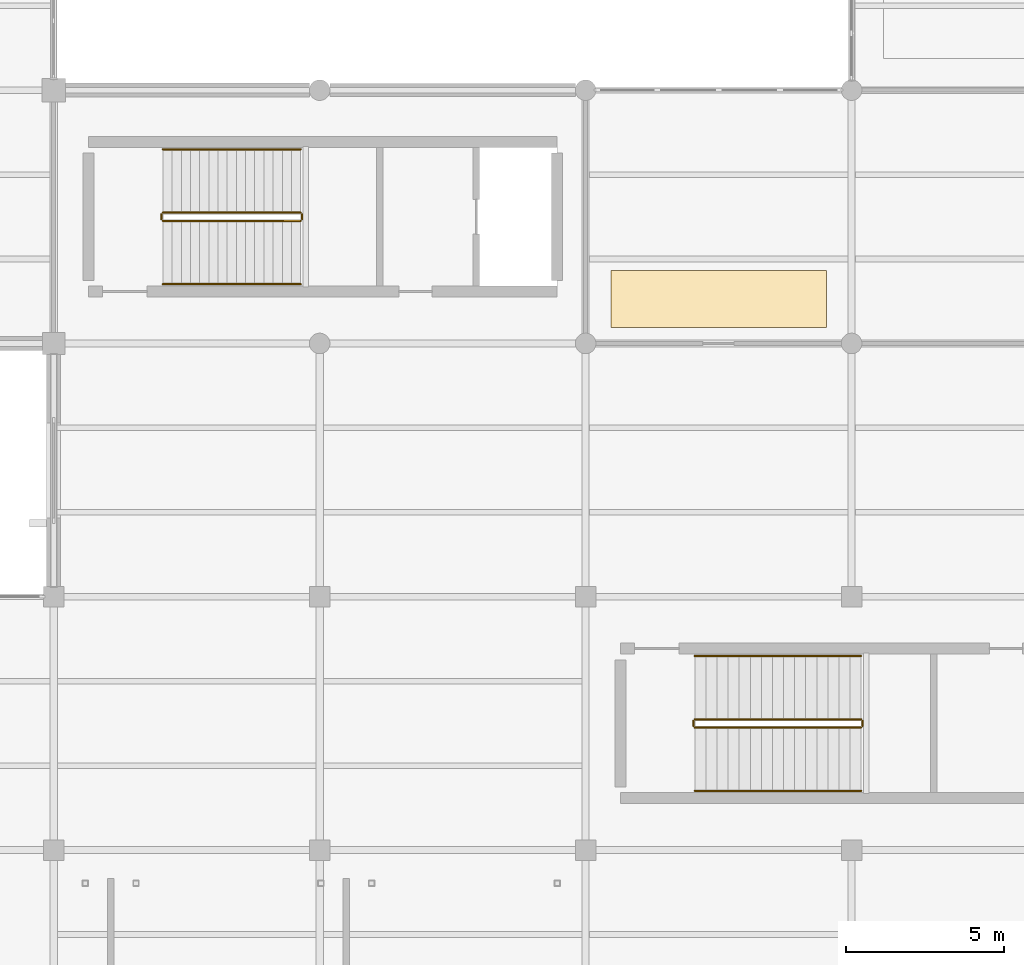
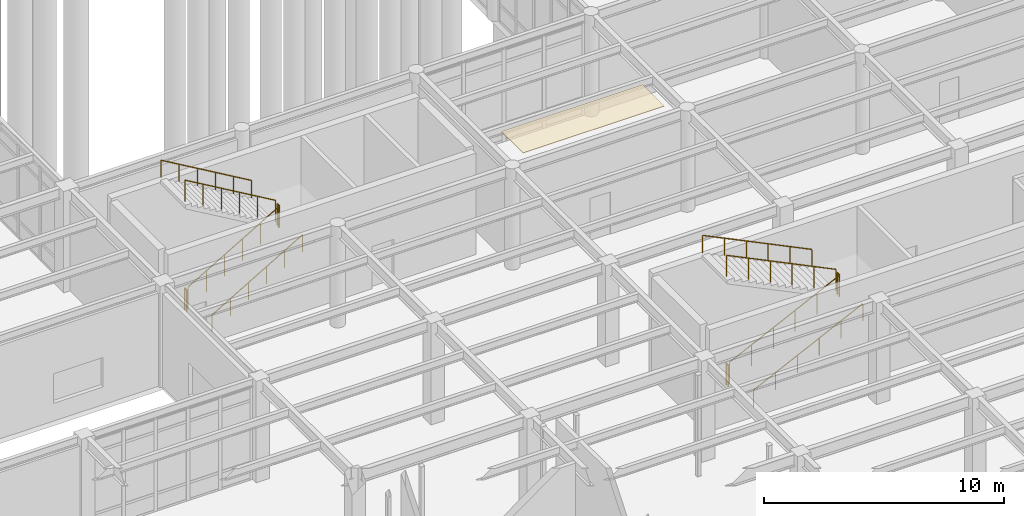
# One storey, part 128 of 138: 12 railings, 1 covering.
"""IFC4 building model written with IfcOpenShell, lengths in metres."""

from ifc_helpers import new_model, si_unit, direction, frame, origin, origin_2d, place, context, subcontext, project, spatial, polyline, circle, outline, extrude, material, layer, layer_set, type_object, element, save


model = new_model("IFC4")

# Units and contexts
model_context = context("Model", 3, precision=1e-05, world=origin(), true_north=direction((0.0, 1.0)))
body_context = subcontext(model_context, "Body", "Model", "MODEL_VIEW")
ifc_project = project(units=[si_unit("LENGTHUNIT", "METRE"), si_unit("AREAUNIT", "SQUARE_METRE"), si_unit("VOLUMEUNIT", "CUBIC_METRE"), si_unit("PLANEANGLEUNIT", "RADIAN"), si_unit("MASSUNIT", "GRAM", prefix="KILO")], contexts=[model_context])

# Site, building, storey
site_placement = place(None, origin())
site = spatial("IfcSite", under=ifc_project, at=site_placement, CompositionType="ELEMENT")
building_placement = place(site_placement, origin())
building = spatial("IfcBuilding", under=site, at=building_placement, Name="Kranzveld Transit Interchange", CompositionType="ELEMENT")
storey_placement = place(building_placement, origin())
storey = spatial("IfcBuildingStorey", under=building, at=storey_placement, Name="L00", CompositionType="ELEMENT", Elevation=0.0)

# Covering
ifc_material_1 = material(Name="Bronze-anodised thermally broken aluminium", Category="aluminium")
ifc_layer = layer(ifc_material_1, 0.02490234375)
ifc_layer_set = layer_set([ifc_layer], Name="Bronze-anodised thermally broken aluminium")
covering_type = type_object("IfcCoveringType", Name="Acoustic Perforated Ceiling Tile 25", PredefinedType="CEILING", material=ifc_layer_set)
covering_placement = place(storey_placement, frame((0.0, 0.0, 5.125)))
element("IfcCovering", 1, at=covering_placement, inside=storey, type_object=covering_type, Name="Ticket Office Acoustic Ceiling", PredefinedType="CEILING", context=body_context, shape_type="SweptSolid", body=[
    extrude(outline(polyline([(51.199951171875, 48.5), (58.0, 48.5), (58.0, 50.300048828125), (51.199951171875, 50.300048828125), (51.199951171875, 48.5)])), origin(), (0.0, 0.0, 1.0), 0.02490234375),
])

# Railings
ifc_material_2 = material(Name="Steel S355JR", Category="steel")
railing_type_1 = type_object("IfcRailingType", Name="Stair & Ramp Handrail Steel 900", PredefinedType="HANDRAIL", material=ifc_material_2)
railing_1_placement = place(storey_placement, frame((37.050048828125, 49.8701171875, 0.169921875)))
element("IfcRailing", 2, at=railing_1_placement, inside=storey, type_object=railing_type_1, Name="L00 ST-M1 stair handrail 1", PredefinedType="HANDRAIL", context=body_context, shape_type="SweptSolid", body=[
    extrude(circle(Radius=0.02392578125, at=origin_2d()), frame((0.0, 0.0, 0.8759765625), z_axis=(0.862686314962, 0.0, 0.505739381477), x_axis=(0.0, 1.0, 0.0)), (0.0, 0.0, 1.0), 5.042236328125),
    extrude(circle(Radius=0.02099609375, at=origin_2d()), origin(), (0.0, 0.0, 1.0), 0.849853515625),
    extrude(circle(Radius=0.02099609375, at=origin_2d()), frame((0.869873046875, 0.0, 0.510009765625)), (0.0, 0.0, 1.0), 0.849853515625),
    extrude(circle(Radius=0.02099609375, at=origin_2d()), frame((1.739990234375, 0.0, 1.02001953125)), (0.0, 0.0, 1.0), 0.849853515625),
    extrude(circle(Radius=0.02099609375, at=origin_2d()), frame((2.60986328125, 0.0, 1.530029296875)), (0.0, 0.0, 1.0), 0.849853515625),
    extrude(circle(Radius=0.02099609375, at=origin_2d()), frame((3.47998046875, 0.0, 2.0400390625)), (0.0, 0.0, 1.0), 0.849853515625),
    extrude(circle(Radius=0.02099609375, at=origin_2d()), frame((4.349853515625, 0.0, 2.550048828125)), (0.0, 0.0, 1.0), 0.849853515625),
])
railing_2_placement = place(storey_placement, frame((41.39990234375, 54.1298828125, 2.889892578125)))
element("IfcRailing", 3, at=railing_2_placement, inside=storey, type_object=railing_type_1, Name="L00 ST-M1 stair handrail 2", PredefinedType="HANDRAIL", context=body_context, shape_type="SweptSolid", body=[
    extrude(circle(Radius=0.02392578125, at=origin_2d()), frame((0.0, 0.0, 0.8759765625), z_axis=(-0.862686314962, 0.0, 0.505739381477), x_axis=(0.0, -1.0, 0.0)), (0.0, 0.0, 1.0), 5.042236328125),
    extrude(circle(Radius=0.02099609375, at=origin_2d()), origin(), (0.0, 0.0, 1.0), 0.849853515625),
    extrude(circle(Radius=0.02099609375, at=origin_2d()), frame((-0.869873046875, 0.0, 0.510009765625)), (0.0, 0.0, 1.0), 0.849853515625),
    extrude(circle(Radius=0.02099609375, at=origin_2d()), frame((-1.739990234375, 0.0, 1.02001953125)), (0.0, 0.0, 1.0), 0.849853515625),
    extrude(circle(Radius=0.02099609375, at=origin_2d()), frame((-2.60986328125, 0.0, 1.530029296875)), (0.0, 0.0, 1.0), 0.849853515625),
    extrude(circle(Radius=0.02099609375, at=origin_2d()), frame((-3.47998046875, 0.0, 2.0400390625)), (0.0, 0.0, 1.0), 0.849853515625),
    extrude(circle(Radius=0.02099609375, at=origin_2d()), frame((-4.349853515625, 0.0, 2.550048828125)), (0.0, 0.0, 1.0), 0.849853515625),
])
railing_3_placement = place(storey_placement, frame((53.85009765625, 33.8701171875, 0.169921875)))
element("IfcRailing", 4, at=railing_3_placement, inside=storey, type_object=railing_type_1, Name="L00 ST-M2 stair handrail 1", PredefinedType="HANDRAIL", context=body_context, shape_type="SweptSolid", body=[
    extrude(circle(Radius=0.02392578125, at=origin_2d()), frame((0.0, 0.0, 0.8759765625), z_axis=(0.899504870751, 0.0, 0.436910731724), x_axis=(0.0, 1.0, 0.0)), (0.0, 0.0, 1.0), 5.83642578125),
    extrude(circle(Radius=0.02099609375, at=origin_2d()), origin(), (0.0, 0.0, 1.0), 0.849853515625),
    extrude(circle(Radius=0.02099609375, at=origin_2d()), frame((1.050048828125, 0.0, 0.510009765625)), (0.0, 0.0, 1.0), 0.849853515625),
    extrude(circle(Radius=0.02099609375, at=origin_2d()), frame((2.10009765625, 0.0, 1.02001953125)), (0.0, 0.0, 1.0), 0.849853515625),
    extrude(circle(Radius=0.02099609375, at=origin_2d()), frame((3.14990234375, 0.0, 1.530029296875)), (0.0, 0.0, 1.0), 0.849853515625),
    extrude(circle(Radius=0.02099609375, at=origin_2d()), frame((4.199951171875, 0.0, 2.0400390625)), (0.0, 0.0, 1.0), 0.849853515625),
    extrude(circle(Radius=0.02099609375, at=origin_2d()), frame((5.25, 0.0, 2.550048828125)), (0.0, 0.0, 1.0), 0.849853515625),
])
railing_4_placement = place(storey_placement, frame((59.10009765625, 38.1298828125, 2.889892578125)))
element("IfcRailing", 5, at=railing_4_placement, inside=storey, type_object=railing_type_1, Name="L00 ST-M2 stair handrail 2", PredefinedType="HANDRAIL", context=body_context, shape_type="SweptSolid", body=[
    extrude(circle(Radius=0.02392578125, at=origin_2d()), frame((0.0, 0.0, 0.8759765625), z_axis=(-0.899504870751, 0.0, 0.436910731724), x_axis=(0.0, -1.0, 0.0)), (0.0, 0.0, 1.0), 5.83642578125),
    extrude(circle(Radius=0.02099609375, at=origin_2d()), origin(), (0.0, 0.0, 1.0), 0.849853515625),
    extrude(circle(Radius=0.02099609375, at=origin_2d()), frame((-1.050048828125, 0.0, 0.510009765625)), (0.0, 0.0, 1.0), 0.849853515625),
    extrude(circle(Radius=0.02099609375, at=origin_2d()), frame((-2.10009765625, 0.0, 1.02001953125)), (0.0, 0.0, 1.0), 0.849853515625),
    extrude(circle(Radius=0.02099609375, at=origin_2d()), frame((-3.14990234375, 0.0, 1.530029296875)), (0.0, 0.0, 1.0), 0.849853515625),
    extrude(circle(Radius=0.02099609375, at=origin_2d()), frame((-4.199951171875, 0.0, 2.0400390625)), (0.0, 0.0, 1.0), 0.849853515625),
    extrude(circle(Radius=0.02099609375, at=origin_2d()), frame((-5.25, 0.0, 2.550048828125)), (0.0, 0.0, 1.0), 0.849853515625),
])
ifc_material_3 = material(Name="Steel S355JR", Category="steel")
railing_type_2 = type_object("IfcRailingType", Name="Stair Well Guardrail Steel 1100", PredefinedType="GUARDRAIL", material=ifc_material_3)
railing_5_placement = place(storey_placement, frame((37.050048828125, 51.8701171875, 0.169921875)))
element("IfcRailing", 6, at=railing_5_placement, inside=storey, type_object=railing_type_2, Name="L00 ST-M1 stair guard 1", PredefinedType="GUARDRAIL", context=body_context, shape_type="SweptSolid", body=[
    extrude(circle(Radius=0.02392578125, at=origin_2d()), frame((0.0, 0.0, 1.076171875), z_axis=(0.862686314962, 0.0, 0.505739381477), x_axis=(0.0, 1.0, 0.0)), (0.0, 0.0, 1.0), 5.042236328125),
    extrude(circle(Radius=0.02099609375, at=origin_2d()), origin(), (0.0, 0.0, 1.0), 1.050048828125),
    extrude(circle(Radius=0.02099609375, at=origin_2d()), frame((0.869873046875, 0.0, 0.510009765625)), (0.0, 0.0, 1.0), 1.050048828125),
    extrude(circle(Radius=0.02099609375, at=origin_2d()), frame((1.739990234375, 0.0, 1.02001953125)), (0.0, 0.0, 1.0), 1.050048828125),
    extrude(circle(Radius=0.02099609375, at=origin_2d()), frame((2.60986328125, 0.0, 1.530029296875)), (0.0, 0.0, 1.0), 1.050048828125),
    extrude(circle(Radius=0.02099609375, at=origin_2d()), frame((3.47998046875, 0.0, 2.0400390625)), (0.0, 0.0, 1.0), 1.050048828125),
    extrude(circle(Radius=0.02099609375, at=origin_2d()), frame((4.349853515625, 0.0, 2.550048828125)), (0.0, 0.0, 1.0), 1.050048828125),
])
railing_6_placement = place(storey_placement, frame((41.449951171875, 51.919921875, 2.719970703125)))
element("IfcRailing", 7, at=railing_6_placement, inside=storey, type_object=railing_type_2, Name="L00 ST-M1 stair guard 2", PredefinedType="GUARDRAIL", context=body_context, shape_type="SweptSolid", body=[
    extrude(circle(Radius=0.02392578125, at=origin_2d()), frame((0.0, 0.0, 1.076171875), z_axis=(0.0, 1.0, 0.0), x_axis=(-1.0, 0.0, 0.0)), (0.0, 0.0, 1.0), 0.16015625),
    extrude(circle(Radius=0.02099609375, at=origin_2d()), origin(), (0.0, 0.0, 1.0), 1.050048828125),
    extrude(circle(Radius=0.02099609375, at=origin_2d()), frame((0.0, 0.16015625, 0.0)), (0.0, 0.0, 1.0), 1.050048828125),
])
railing_7_placement = place(storey_placement, frame((41.39990234375, 52.1298828125, 2.889892578125)))
element("IfcRailing", 8, at=railing_7_placement, inside=storey, type_object=railing_type_2, Name="L00 ST-M1 stair guard 3", PredefinedType="GUARDRAIL", context=body_context, shape_type="SweptSolid", body=[
    extrude(circle(Radius=0.02392578125, at=origin_2d()), frame((0.0, 0.0, 1.076171875), z_axis=(-0.862686314962, 0.0, 0.505739381477), x_axis=(0.0, -1.0, 0.0)), (0.0, 0.0, 1.0), 5.042236328125),
    extrude(circle(Radius=0.02099609375, at=origin_2d()), origin(), (0.0, 0.0, 1.0), 1.050048828125),
    extrude(circle(Radius=0.02099609375, at=origin_2d()), frame((-0.869873046875, 0.0, 0.510009765625)), (0.0, 0.0, 1.0), 1.050048828125),
    extrude(circle(Radius=0.02099609375, at=origin_2d()), frame((-1.739990234375, 0.0, 1.02001953125)), (0.0, 0.0, 1.0), 1.050048828125),
    extrude(circle(Radius=0.02099609375, at=origin_2d()), frame((-2.60986328125, 0.0, 1.530029296875)), (0.0, 0.0, 1.0), 1.050048828125),
    extrude(circle(Radius=0.02099609375, at=origin_2d()), frame((-3.47998046875, 0.0, 2.0400390625)), (0.0, 0.0, 1.0), 1.050048828125),
    extrude(circle(Radius=0.02099609375, at=origin_2d()), frame((-4.349853515625, 0.0, 2.550048828125)), (0.0, 0.0, 1.0), 1.050048828125),
])
railing_8_placement = place(storey_placement, frame((37.0, 51.919921875, 0.0)))
element("IfcRailing", 9, at=railing_8_placement, inside=storey, type_object=railing_type_2, Name="L00 ST-M1 stair guard 4", PredefinedType="GUARDRAIL", context=body_context, shape_type="SweptSolid", body=[
    extrude(circle(Radius=0.02392578125, at=origin_2d()), frame((0.0, 0.0, 1.076171875), z_axis=(0.0, 1.0, 0.0), x_axis=(-1.0, 0.0, 0.0)), (0.0, 0.0, 1.0), 0.16015625),
    extrude(circle(Radius=0.02099609375, at=origin_2d()), origin(), (0.0, 0.0, 1.0), 1.050048828125),
    extrude(circle(Radius=0.02099609375, at=origin_2d()), frame((0.0, 0.16015625, 0.0)), (0.0, 0.0, 1.0), 1.050048828125),
])
railing_9_placement = place(storey_placement, frame((53.85009765625, 35.8701171875, 0.169921875)))
element("IfcRailing", 10, at=railing_9_placement, inside=storey, type_object=railing_type_2, Name="L00 ST-M2 stair guard 1", PredefinedType="GUARDRAIL", context=body_context, shape_type="SweptSolid", body=[
    extrude(circle(Radius=0.02392578125, at=origin_2d()), frame((0.0, 0.0, 1.076171875), z_axis=(0.899504870751, 0.0, 0.436910731724), x_axis=(0.0, 1.0, 0.0)), (0.0, 0.0, 1.0), 5.83642578125),
    extrude(circle(Radius=0.02099609375, at=origin_2d()), origin(), (0.0, 0.0, 1.0), 1.050048828125),
    extrude(circle(Radius=0.02099609375, at=origin_2d()), frame((1.050048828125, 0.0, 0.510009765625)), (0.0, 0.0, 1.0), 1.050048828125),
    extrude(circle(Radius=0.02099609375, at=origin_2d()), frame((2.10009765625, 0.0, 1.02001953125)), (0.0, 0.0, 1.0), 1.050048828125),
    extrude(circle(Radius=0.02099609375, at=origin_2d()), frame((3.14990234375, 0.0, 1.530029296875)), (0.0, 0.0, 1.0), 1.050048828125),
    extrude(circle(Radius=0.02099609375, at=origin_2d()), frame((4.199951171875, 0.0, 2.0400390625)), (0.0, 0.0, 1.0), 1.050048828125),
    extrude(circle(Radius=0.02099609375, at=origin_2d()), frame((5.25, 0.0, 2.550048828125)), (0.0, 0.0, 1.0), 1.050048828125),
])
railing_10_placement = place(storey_placement, frame((59.14990234375, 35.919921875, 2.719970703125)))
element("IfcRailing", 11, at=railing_10_placement, inside=storey, type_object=railing_type_2, Name="L00 ST-M2 stair guard 2", PredefinedType="GUARDRAIL", context=body_context, shape_type="SweptSolid", body=[
    extrude(circle(Radius=0.02392578125, at=origin_2d()), frame((0.0, 0.0, 1.076171875), z_axis=(0.0, 1.0, 0.0), x_axis=(-1.0, 0.0, 0.0)), (0.0, 0.0, 1.0), 0.16015625),
    extrude(circle(Radius=0.02099609375, at=origin_2d()), origin(), (0.0, 0.0, 1.0), 1.050048828125),
    extrude(circle(Radius=0.02099609375, at=origin_2d()), frame((0.0, 0.16015625, 0.0)), (0.0, 0.0, 1.0), 1.050048828125),
])
railing_11_placement = place(storey_placement, frame((59.10009765625, 36.1298828125, 2.889892578125)))
element("IfcRailing", 12, at=railing_11_placement, inside=storey, type_object=railing_type_2, Name="L00 ST-M2 stair guard 3", PredefinedType="GUARDRAIL", context=body_context, shape_type="SweptSolid", body=[
    extrude(circle(Radius=0.02392578125, at=origin_2d()), frame((0.0, 0.0, 1.076171875), z_axis=(-0.899504870751, 0.0, 0.436910731724), x_axis=(0.0, -1.0, 0.0)), (0.0, 0.0, 1.0), 5.83642578125),
    extrude(circle(Radius=0.02099609375, at=origin_2d()), origin(), (0.0, 0.0, 1.0), 1.050048828125),
    extrude(circle(Radius=0.02099609375, at=origin_2d()), frame((-1.050048828125, 0.0, 0.510009765625)), (0.0, 0.0, 1.0), 1.050048828125),
    extrude(circle(Radius=0.02099609375, at=origin_2d()), frame((-2.10009765625, 0.0, 1.02001953125)), (0.0, 0.0, 1.0), 1.050048828125),
    extrude(circle(Radius=0.02099609375, at=origin_2d()), frame((-3.14990234375, 0.0, 1.530029296875)), (0.0, 0.0, 1.0), 1.050048828125),
    extrude(circle(Radius=0.02099609375, at=origin_2d()), frame((-4.199951171875, 0.0, 2.0400390625)), (0.0, 0.0, 1.0), 1.050048828125),
    extrude(circle(Radius=0.02099609375, at=origin_2d()), frame((-5.25, 0.0, 2.550048828125)), (0.0, 0.0, 1.0), 1.050048828125),
])
railing_12_placement = place(storey_placement, frame((53.800048828125, 35.919921875, 0.0)))
element("IfcRailing", 13, at=railing_12_placement, inside=storey, type_object=railing_type_2, Name="L00 ST-M2 stair guard 4", PredefinedType="GUARDRAIL", context=body_context, shape_type="SweptSolid", body=[
    extrude(circle(Radius=0.02392578125, at=origin_2d()), frame((0.0, 0.0, 1.076171875), z_axis=(0.0, 1.0, 0.0), x_axis=(-1.0, 0.0, 0.0)), (0.0, 0.0, 1.0), 0.16015625),
    extrude(circle(Radius=0.02099609375, at=origin_2d()), origin(), (0.0, 0.0, 1.0), 1.050048828125),
    extrude(circle(Radius=0.02099609375, at=origin_2d()), frame((0.0, 0.16015625, 0.0)), (0.0, 0.0, 1.0), 1.050048828125),
])

save(model, "model.ifc")
